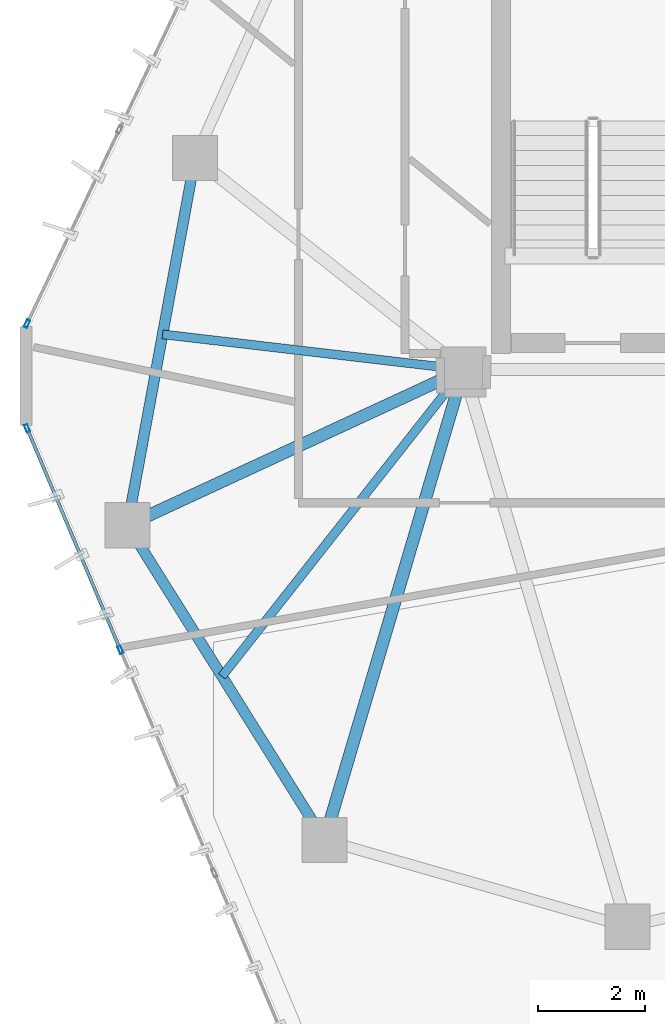
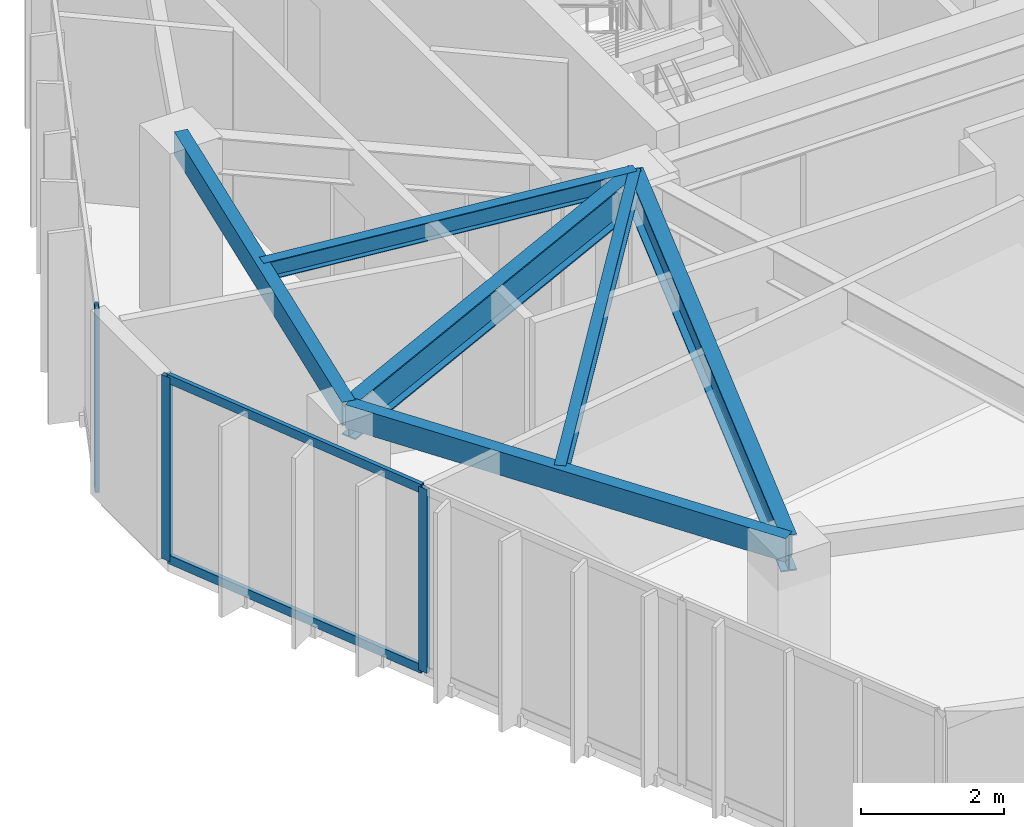
# One storey, part 4 of 20: 6 beams, 5 members, 2 elements without a shape of their own.
"""IFC4 building model written with IfcOpenShell, lengths in metres."""

from ifc_helpers import new_model, si_unit, direction, frame, origin, origin_2d, place, context, subcontext, project, spatial, hollow_rectangle, i_section, extrude, source, transform, mapped, material, layer, layer_set, material_profile, profile_set, type_object, type_shapes, element, aggregate, save


model = new_model("IFC4")

# Units and contexts
model_context = context("Model", 3, precision=1e-05, world=origin(), true_north=direction((0.0, 1.0)))
body_context = subcontext(model_context, "Body", "Model", "MODEL_VIEW")
ifc_project = project(units=[si_unit("LENGTHUNIT", "METRE"), si_unit("AREAUNIT", "SQUARE_METRE"), si_unit("VOLUMEUNIT", "CUBIC_METRE"), si_unit("PLANEANGLEUNIT", "RADIAN"), si_unit("MASSUNIT", "GRAM", prefix="KILO")], contexts=[model_context])

# Site, building, storey
site_placement = place(None, origin())
site = spatial("IfcSite", under=ifc_project, at=site_placement, CompositionType="ELEMENT")
building_placement = place(site_placement, origin())
building = spatial("IfcBuilding", under=site, at=building_placement, Name="Talar Marvaseh", CompositionType="ELEMENT")
storey_placement = place(building_placement, frame((0.0, 0.0, 281.60009765625)))
storey = spatial("IfcBuildingStorey", under=building, at=storey_placement, Name="L75", CompositionType="ELEMENT", Elevation=281.60009765625)

# Beams
ifc_material_1 = material(Name="Steel S355", Category="steel")
ifc_material_profile_1 = material_profile(ifc_material_1, hollow_rectangle(XDim=0.199951171875, YDim=0.39990234375, WallThickness=0.013916015625, at=origin_2d()), Name="RHS400x200x14")
ifc_profile_set_1 = profile_set([ifc_material_profile_1], Name="Steel S355")
beam_type_1 = type_object("IfcBeamType", Name="Zone 3 Perimeter Spandrel Beam RHS400x200x14", PredefinedType="SPANDREL", material=ifc_profile_set_1)
beam_1_placement = place(storey_placement, frame((12.388916015625, 22.576904296875, 2.93994140625), z_axis=(0.18106135948, 0.983471801377, 0.0), x_axis=(-0.983471801377, 0.18106135948, 0.0)))
element("IfcBeam", 1, at=beam_1_placement, inside=storey, type_object=beam_type_1, Name="L75 Zone 3 Perimeter Spandrel Beam RHS400x200x14", PredefinedType="SPANDREL", context=body_context, shape_type="SweptSolid", body=[
    extrude(hollow_rectangle(XDim=0.199951171875, YDim=0.39990234375, WallThickness=0.013916015625, at=origin_2d()), origin(), (0.0, 0.0, 1.0), 7.0087890625),
])
beam_2_placement = place(storey_placement, frame((16.0869140625, 16.66796875, 2.93994140625), z_axis=(-0.530505706813, 0.847681364098, 0.0), x_axis=(-0.847681364098, -0.530505706813, 0.0)))
element("IfcBeam", 2, at=beam_2_placement, inside=storey, type_object=beam_type_1, Name="L75 Zone 3 Perimeter Spandrel Beam RHS400x200x14", PredefinedType="SPANDREL", context=body_context, shape_type="SweptSolid", body=[
    extrude(hollow_rectangle(XDim=0.199951171875, YDim=0.39990234375, WallThickness=0.013916015625, at=origin_2d()), origin(), (0.0, 0.0, 1.0), 6.970703125),
])
ifc_material_profile_2 = material_profile(ifc_material_1, i_section(OverallWidth=0.166015625, OverallDepth=0.31298828125, WebThickness=0.006591796875, FlangeThickness=0.01123046875, at=origin_2d()), Name="W310x45")
ifc_profile_set_2 = profile_set([ifc_material_profile_2], Name="Steel S355")
beam_type_2 = type_object("IfcBeamType", Name="Zone 3 Secondary Floor Joist W310x45", PredefinedType="JOIST", material=ifc_profile_set_2)
beam_3_placement = place(storey_placement, frame((13.048828125, 26.161376953125, 2.9833984375), z_axis=(0.993221011039, -0.116241228622, 0.0), x_axis=(0.116241228622, 0.993221011039, 0.0)))
element("IfcBeam", 3, at=beam_3_placement, inside=storey, type_object=beam_type_2, Name="L75 Zone 3 Secondary Floor Joist W310x45", PredefinedType="JOIST", context=body_context, shape_type="SweptSolid", body=[
    extrude(i_section(OverallWidth=0.166015625, OverallDepth=0.31298828125, WebThickness=0.006591796875, FlangeThickness=0.01123046875, at=origin_2d()), origin(), (0.0, 0.0, 1.0), 5.689697265625),
])
beam_4_placement = place(storey_placement, frame((14.1640625, 19.74072265625, 2.9833984375), z_axis=(0.618727137907, 0.785605962819, 0.0), x_axis=(-0.785605962819, 0.618727137907, 0.0)))
element("IfcBeam", 4, at=beam_4_placement, inside=storey, type_object=beam_type_2, Name="L75 Zone 3 Secondary Floor Joist W310x45", PredefinedType="JOIST", context=body_context, shape_type="SweptSolid", body=[
    extrude(i_section(OverallWidth=0.166015625, OverallDepth=0.31298828125, WebThickness=0.006591796875, FlangeThickness=0.01123046875, at=origin_2d()), origin(), (0.0, 0.0, 1.0), 7.3310546875),
])
ifc_material_profile_3 = material_profile(ifc_material_1, i_section(OverallWidth=0.22998046875, OverallDepth=0.616943359375, WebThickness=0.01318359375, FlangeThickness=0.022216796875, at=origin_2d()), Name="W610x140")
ifc_profile_set_3 = profile_set([ifc_material_profile_3], Name="Steel S355")
beam_type_3 = type_object("IfcBeamType", Name="Zone 4 Radial Floor Girder W610x140", PredefinedType="BEAM", material=ifc_profile_set_3)
beam_5_placement = place(storey_placement, frame((12.388916015625, 22.576904296875, 2.831298828125), z_axis=(0.907394527995, 0.420279871709, 0.0), x_axis=(-0.420279871709, 0.907394527995, 0.0)))
element("IfcBeam", 5, at=beam_5_placement, inside=storey, type_object=beam_type_3, Name="L75 Zone 4 Radial Floor Girder W610x140", PredefinedType="BEAM", context=body_context, shape_type="SweptSolid", body=[
    extrude(i_section(OverallWidth=0.22998046875, OverallDepth=0.616943359375, WebThickness=0.01318359375, FlangeThickness=0.022216796875, at=origin_2d()), origin(), (0.0, 0.0, 1.0), 6.955078125),
])
beam_6_placement = place(storey_placement, frame((16.0869140625, 16.66796875, 2.831298828125), z_axis=(0.283702937759, 0.958912218666, 0.0), x_axis=(-0.958912218666, 0.283702937759, 0.0)))
element("IfcBeam", 6, at=beam_6_placement, inside=storey, type_object=beam_type_3, Name="L75 Zone 4 Radial Floor Girder W610x140", PredefinedType="BEAM", context=body_context, shape_type="SweptSolid", body=[
    extrude(i_section(OverallWidth=0.22998046875, OverallDepth=0.616943359375, WebThickness=0.01318359375, FlangeThickness=0.022216796875, at=origin_2d()), origin(), (0.0, 0.0, 1.0), 9.21044921875),
])

# Curtain wall, members
ifc_material_2 = material(Name="Architectural Aluminium", Category="aluminium")
ifc_layer = layer(ifc_material_2, 0.179931640625)
ifc_layer_set = layer_set([ifc_layer], Name="Architectural Aluminium")
curtain_wall_type = type_object("IfcCurtainWallType", Name="Unitised High-Wind Sky Curtain Wall Z4", PredefinedType="NOTDEFINED", material=ifc_layer_set)
curtain_wall_1_placement = place(storey_placement, origin())
curtain_wall_1 = element("IfcCurtainWall", 7, at=curtain_wall_1_placement, inside=storey, type_object=curtain_wall_type, Name="L75 Unitised High-Wind Sky Curtain Wall Z4", PredefinedType="NOTDEFINED")
ifc_material_profile_4 = material_profile(ifc_material_2, hollow_rectangle(XDim=0.06494140625, YDim=0.14990234375, WallThickness=0.00390625, at=origin_2d()), Name="RHS150x65x4")
ifc_profile_set_4 = profile_set([ifc_material_profile_4], Name="Architectural Aluminium")
member_type_1 = type_object("IfcMemberType", Name="Unitised Curtain Wall Slim Mullion RHS150x65x4", PredefinedType="MULLION", material=ifc_profile_set_4)
shared_shape_1 = source(origin(), body_context, "Body", "SweptSolid", [
    extrude(hollow_rectangle(XDim=0.06494140625, YDim=0.14990234375, WallThickness=0.00390625, at=origin_2d()), origin(), (0.0, 0.0, 1.0), 3.139892578125),
])
type_shapes(member_type_1, [shared_shape_1])
member_1_placement = place(storey_placement, frame((12.2578125, 20.2373046875, 0.0), z_axis=(0.0, 0.0, 1.0), x_axis=(-0.921550586962, -0.388258310498, 0.0)))
member_1 = element("IfcMember", 8, at=member_1_placement, type_object=member_type_1, Name="CW-Z4 mullion 3", PredefinedType="MULLION", context=body_context, shape_type="MappedRepresentation", body=[
    mapped(shared_shape_1, transform((0.0, 0.0, 0.0), x_axis=(1.0, 0.0, 0.0), y_axis=(0.0, 1.0, 0.0), z_axis=(0.0, 0.0, 1.0), scale=1.0)),
])
member_2_placement = place(storey_placement, frame((10.505859375, 24.395751953125, 0.0), z_axis=(0.0, 0.0, 1.0), x_axis=(-0.921550586962, -0.388258310498, 0.0)))
member_2 = element("IfcMember", 9, at=member_2_placement, type_object=member_type_1, Name="CW-Z4 mullion 4", PredefinedType="MULLION", context=body_context, shape_type="MappedRepresentation", body=[
    mapped(shared_shape_1, transform((0.0, 0.0, 0.0), x_axis=(1.0, 0.0, 0.0), y_axis=(0.0, 1.0, 0.0), z_axis=(0.0, 0.0, 1.0), scale=1.0)),
])

# Curtain wall, member
curtain_wall_2_placement = place(storey_placement, origin())
curtain_wall_2 = element("IfcCurtainWall", 10, at=curtain_wall_2_placement, inside=storey, type_object=curtain_wall_type, Name="L75 Unitised High-Wind Sky Curtain Wall Z4", PredefinedType="NOTDEFINED")
member_3_placement = place(storey_placement, frame((10.504150390625, 26.360595703125, 0.0), z_axis=(0.0, 0.0, 1.0), x_axis=(-0.903095565784, 0.42943963378, 0.0)))
member_3 = element("IfcMember", 11, at=member_3_placement, type_object=member_type_1, Name="CW-Z4 mullion 1", PredefinedType="MULLION", context=body_context, shape_type="MappedRepresentation", body=[
    mapped(shared_shape_1, transform((0.0, 0.0, 0.0), x_axis=(1.0, 0.0, 0.0), y_axis=(0.0, 1.0, 0.0), z_axis=(0.0, 0.0, 1.0), scale=1.0)),
])
aggregate(curtain_wall_2, [member_3])

# Member
ifc_material_profile_5 = material_profile(ifc_material_2, hollow_rectangle(XDim=0.06494140625, YDim=0.14990234375, WallThickness=0.00390625, at=origin_2d()), Name="RHS150x65x4")
ifc_profile_set_5 = profile_set([ifc_material_profile_5], Name="Architectural Aluminium")
member_type_2 = type_object("IfcMemberType", Name="Unitised Curtain Wall Slim Transom RHS150x65x4", PredefinedType="USERDEFINED", material=ifc_profile_set_5)
shared_shape_2 = source(origin(), body_context, "Body", "SweptSolid", [
    extrude(hollow_rectangle(XDim=0.06494140625, YDim=0.14990234375, WallThickness=0.00390625, at=origin_2d()), origin(), (0.0, 0.0, 1.0), 4.447265625),
])
type_shapes(member_type_2, [shared_shape_2])
member_4_placement = place(storey_placement, frame((12.2451171875, 20.267333984375, 0.032470703125), z_axis=(-0.388233697643, 0.921560956212, 0.0), x_axis=(-0.921560956212, -0.388233697643, 0.0)))
member_4 = element("IfcMember", 12, at=member_4_placement, type_object=member_type_2, Name="CW-Z4 transom 3.1", ObjectType="TRANSOM", PredefinedType="USERDEFINED", context=body_context, shape_type="MappedRepresentation", body=[
    mapped(shared_shape_2, transform((0.0, 0.0, 0.0), x_axis=(1.0, 0.0, 0.0), y_axis=(0.0, 1.0, 0.0), z_axis=(0.0, 0.0, 1.0), scale=1.0)),
])

member_5_placement = place(storey_placement, frame((12.2451171875, 20.267333984375, 3.107421875), z_axis=(-0.388233697643, 0.921560956212, 0.0), x_axis=(-0.921560956212, -0.388233697643, 0.0)))
member_5 = element("IfcMember", 13, at=member_5_placement, type_object=member_type_2, Name="CW-Z4 transom 3.2", ObjectType="TRANSOM", PredefinedType="USERDEFINED", context=body_context, shape_type="MappedRepresentation", body=[
    mapped(shared_shape_2, transform((0.0, 0.0, 0.0), x_axis=(1.0, 0.0, 0.0), y_axis=(0.0, 1.0, 0.0), z_axis=(0.0, 0.0, 1.0), scale=1.0)),
])

aggregate(curtain_wall_1, [member_1, member_2, member_4, member_5])

save(model, "model.ifc")
